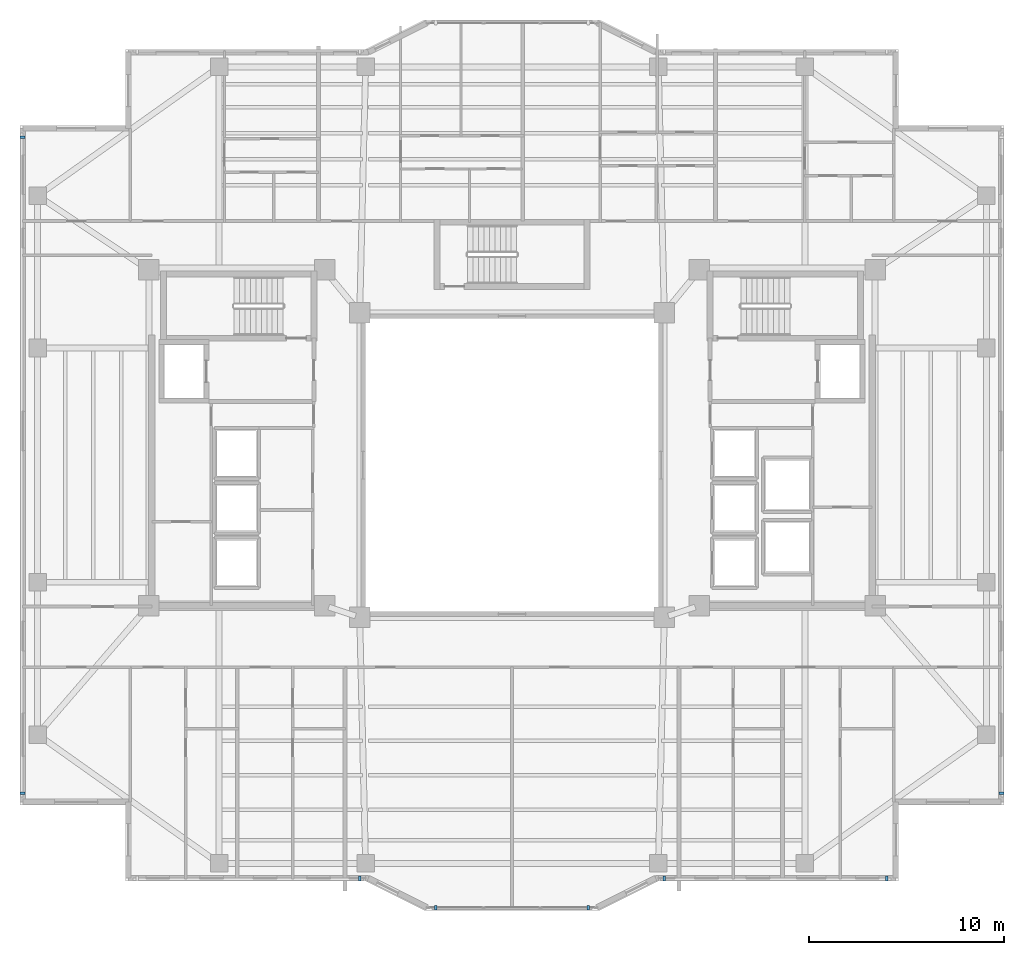
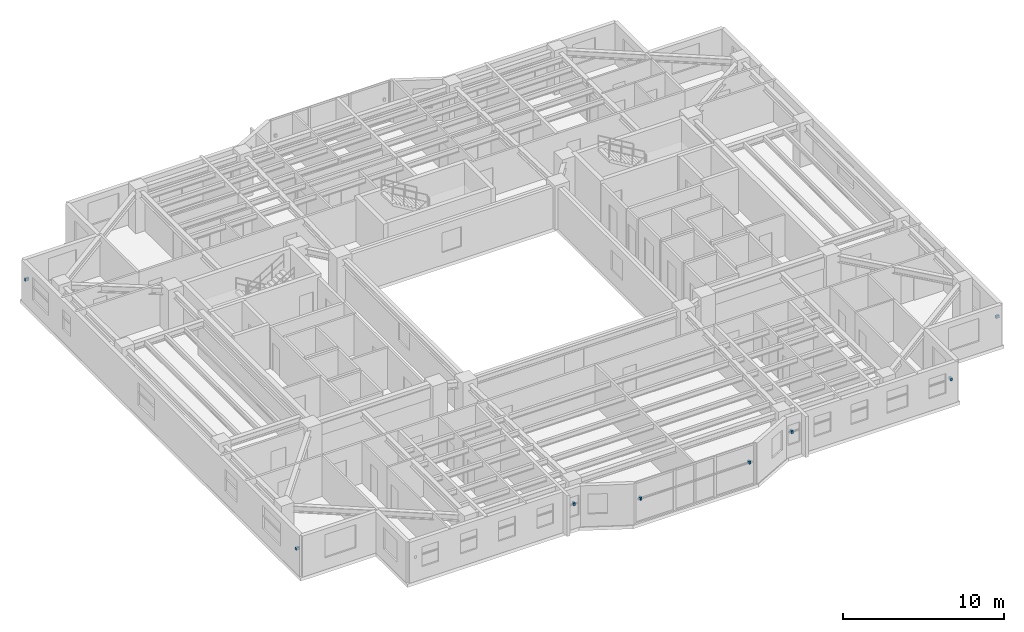
# One storey, part 12 of 16: 8 discrete accessories.
"""IFC4 building model written with IfcOpenShell, lengths in metres."""

import ifcopenshell
import ifcopenshell.guid

model = None  # the IFC model being written
_history = None  # IfcOwnerHistory: only IFC2X3 demands one
_inside = {}  # id of a spatial element -> (the spatial element, [elements in it])
_under = {}  # id of a project, library or spatial element -> (it, [spatial elements below it])
_declared = {}  # id of a project -> (the project, [libraries it declares])
_typed = {}  # id of a type object -> (the type object, [elements of that type])
_made_of = {}  # id of a material, layer set ... -> (it, [elements and type objects made of it])


def new_model(schema):
    """Start an empty IFC model of exactly this schema.

    Asked for "IFC4X3", IfcOpenShell would pick the latest addendum, in which some entities
    have other attributes; the version numbers below select the first issue.
    IFC2X3 requires an IfcOwnerHistory on every rooted entity: one is made here for all.
    """
    global model, _history
    if schema == "IFC4X3":
        model = ifcopenshell.file(schema_version=(4, 3, 0, 0))
    else:
        model = ifcopenshell.file(schema=schema)
    _inside.clear()
    _under.clear()
    _declared.clear()
    _typed.clear()
    _made_of.clear()
    _history = None
    if model.schema == "IFC2X3":
        org = make("IfcOrganization", Name="unknown")
        user = make(
            "IfcPersonAndOrganization",
            ThePerson=make("IfcPerson", FamilyName="unknown"),
            TheOrganization=org,
        )
        app = make(
            "IfcApplication",
            ApplicationDeveloper=org,
            Version="unknown",
            ApplicationFullName="unknown",
            ApplicationIdentifier="unknown",
        )
        _history = make(
            "IfcOwnerHistory",
            OwningUser=user,
            OwningApplication=app,
            ChangeAction="ADDED",
            CreationDate=0,
        )
    return model


def make(cls, **values):
    """One entity of the class cls with the attributes given. An attribute that is None is left unset."""
    return model.create_entity(
        cls, **{name: value for name, value in values.items() if value is not None}
    )


def rooted(cls, **values):
    """An entity with a GlobalId (a new one), such as an element, a storey or a relation."""
    return make(cls, GlobalId=ifcopenshell.guid.new(), OwnerHistory=_history, **values)


def si_unit(unit_type, name, prefix=None):
    """IfcSIUnit, for example si_unit("LENGTHUNIT", "METRE", prefix="MILLI")."""
    return make("IfcSIUnit", UnitType=unit_type, Prefix=prefix, Name=name)


def assignment(units):
    """IfcUnitAssignment: the units of a project."""
    return None if units is None else make("IfcUnitAssignment", Units=units)


def point(xyz):
    """IfcCartesianPoint."""
    return None if xyz is None else make("IfcCartesianPoint", Coordinates=xyz)


def direction(xyz):
    """IfcDirection."""
    return None if xyz is None else make("IfcDirection", DirectionRatios=xyz)


def frame(location, z_axis=None, x_axis=None):
    """IfcAxis2Placement3D, a coordinate frame: its origin and axes. An axis left out is left unset."""
    return make(
        "IfcAxis2Placement3D",
        Location=point(location),
        Axis=direction(z_axis),
        RefDirection=direction(x_axis),
    )


def frame_2d(location, x_axis=None):
    """IfcAxis2Placement2D, a coordinate frame in the plane: its origin and x axis."""
    return make(
        "IfcAxis2Placement2D", Location=point(location), RefDirection=direction(x_axis)
    )


def origin():
    """The frame at (0, 0, 0) with its axes left unset."""
    return frame((0.0, 0.0, 0.0))


def origin_2d():
    """The frame at (0, 0) in the plane with its x axis left unset."""
    return frame_2d((0.0, 0.0))


def place(relative_to, where):
    """IfcLocalPlacement: puts the frame where relative to a parent placement (None: the world)."""
    return make(
        "IfcLocalPlacement", PlacementRelTo=relative_to, RelativePlacement=where
    )


def context(
    kind, dimensions, precision=None, world=None, true_north=None, identifier=None
):
    """IfcGeometricRepresentationContext, for example the 3D "Model" context."""
    return make(
        "IfcGeometricRepresentationContext",
        ContextIdentifier=identifier,
        ContextType=kind,
        CoordinateSpaceDimension=dimensions,
        Precision=precision,
        WorldCoordinateSystem=world,
        TrueNorth=true_north,
    )


def subcontext(parent, identifier, kind, view, scale=None):
    """IfcGeometricRepresentationSubContext, for example "Body" below "Model"."""
    return make(
        "IfcGeometricRepresentationSubContext",
        ContextIdentifier=identifier,
        ContextType=kind,
        ParentContext=parent,
        TargetScale=scale,
        TargetView=view,
    )


def project(units=None, contexts=None):
    """IfcProject with its units and contexts."""
    return rooted(
        "IfcProject",
        Name="project",
        RepresentationContexts=contexts,
        UnitsInContext=assignment(units),
    )


def spatial(cls, under=None, at=None, **own):
    """A site, building, storey or space (cls), placed at a placement, below another one or the project."""
    s = rooted(cls, ObjectPlacement=at, **own)
    if under is not None:
        _under.setdefault(under.id(), (under, []))[1].append(s)
    return s


def profile(cls, at=None, kind="AREA", **sizes):
    """A parametric profile (cls). Its sizes go by their IFC names, for example OverallWidth=200.0."""
    return make(cls, ProfileType=kind, Position=at, **sizes)


def rectangle(**sizes):
    """IfcRectangleProfileDef."""
    return profile("IfcRectangleProfileDef", **sizes)


def extrude(swept, where, along, depth):
    """IfcExtrudedAreaSolid: the profile swept, set in the frame where, extruded along a direction by depth."""
    return make(
        "IfcExtrudedAreaSolid",
        SweptArea=swept,
        Position=where,
        ExtrudedDirection=direction(along),
        Depth=depth,
    )


def shape(context_of_items, identifier, shape_type, items):
    """IfcShapeRepresentation: the items that make up one representation, for example the "Body"."""
    return make(
        "IfcShapeRepresentation",
        ContextOfItems=context_of_items,
        RepresentationIdentifier=identifier,
        RepresentationType=shape_type,
        Items=items,
    )


def material(Name=None, Category=None):
    """IfcMaterial."""
    return make("IfcMaterial", Name=Name, Category=Category)


def made_of(thing, what):
    """Note that an element or type object is made of a material, layer set ...; save() writes the relation."""
    if what is not None:
        _made_of.setdefault(what.id(), (what, []))[1].append(thing)
    return thing


def type_object(cls, material=None, **own):
    """A type object (cls), such as IfcWallType, which elements share."""
    return made_of(rooted(cls, **own), material)


def element(
    cls,
    number,
    at=None,
    inside=None,
    cuts=None,
    type_object=None,
    material=None,
    context=None,
    identifier="Body",
    shape_type=None,
    held_by="IfcProductDefinitionShape",
    body=None,
    shapes=None,
    **own,
):
    """One element of the class cls, such as IfcWall. Its Tag is "e" and its number.

    at: its placement. inside: the storey or other place that contains it. cuts: it is an
    opening in that element (IfcRelVoidsElement). A single representation is given by context,
    identifier, shape_type and body (its items); several are given by shapes. held_by: the class
    of the entity that holds the representations. save() writes the other relations.
    """
    e = rooted(cls, Tag="e%d" % number, ObjectPlacement=at, **own)
    if body is not None:
        shapes = [shape(context, identifier, shape_type, body)]
    if shapes is not None:
        e.Representation = make(held_by, Representations=shapes)
    if inside is not None:
        _inside.setdefault(inside.id(), (inside, []))[1].append(e)
    if cuts is not None:
        rooted(
            "IfcRelVoidsElement", RelatingBuildingElement=cuts, RelatedOpeningElement=e
        )
    if type_object is not None:
        _typed.setdefault(type_object.id(), (type_object, []))[1].append(e)
    return made_of(e, material)


def aggregate(whole, parts):
    """IfcRelAggregates: a whole, such as a stair, and the parts it consists of."""
    return rooted("IfcRelAggregates", RelatingObject=whole, RelatedObjects=parts)


def save(model, path):
    """Write the relations noted so far, then the file.

    IfcRelAggregates (storeys below a building ...), IfcRelContainedInSpatialStructure (elements
    in a storey), IfcRelDefinesByType, IfcRelAssociatesMaterial and IfcRelDeclares: one each for
    every whole, place, type object, material and project.
    """
    for whole, parts in _under.values():
        aggregate(whole, parts)
    for where, things in _inside.values():
        rooted(
            "IfcRelContainedInSpatialStructure",
            RelatedElements=things,
            RelatingStructure=where,
        )
    for kind, things in _typed.values():
        rooted("IfcRelDefinesByType", RelatedObjects=things, RelatingType=kind)
    for what, things in _made_of.values():
        rooted("IfcRelAssociatesMaterial", RelatedObjects=things, RelatingMaterial=what)
    for by, libraries in _declared.values():
        rooted("IfcRelDeclares", RelatingContext=by, RelatedDefinitions=libraries)
    model.write(path)


model = new_model("IFC4")

# Units and contexts
model_context = context("Model", 3, precision=1e-05, world=origin(), true_north=direction((0.0, 1.0)))
body_context = subcontext(model_context, "Body", "Model", "MODEL_VIEW")
ifc_project = project(units=[si_unit("LENGTHUNIT", "METRE"), si_unit("AREAUNIT", "SQUARE_METRE"), si_unit("VOLUMEUNIT", "CUBIC_METRE"), si_unit("PLANEANGLEUNIT", "RADIAN"), si_unit("MASSUNIT", "GRAM", prefix="KILO")], contexts=[model_context])

# Site, building, storey
site_placement = place(None, origin())
site = spatial("IfcSite", under=ifc_project, at=site_placement, CompositionType="ELEMENT")
building_placement = place(site_placement, origin())
building = spatial("IfcBuilding", under=site, at=building_placement, Name="Tarnavaz Court Tower", CompositionType="ELEMENT")
storey_placement = place(building_placement, frame((0.0, 0.0, 152.699951171875)))
storey = spatial("IfcBuildingStorey", under=building, at=storey_placement, Name="L41", CompositionType="ELEMENT", Elevation=152.699951171875)

# Discrete accessories
ifc_material = material(Name="Anodised Aluminium 6063-T6", Category="aluminium")
discrete_accessory_type = type_object("IfcDiscreteAccessoryType", Name="DA-BRKT-ALU", PredefinedType="BRACKET", material=ifc_material)
for number, where, z_axis, x_axis, name in (
    (1, (-25.070068359375, -16.800048828125, 1.75), (0.0, 0.0, 1.0), (0.0, 1.0, 0.0), "L41 Baguette Outrigger Bracket FBG02-1"),
    (2, (-25.070068359375, 16.800048828125, 1.75), (0.0, 0.0, 1.0), (0.0, 1.0, 0.0), "L41 Baguette Outrigger Bracket FBG02-2"),
    (3, (25.070068359375, -16.800048828125, 1.75), (0.0, 0.0, 1.0), (0.0, -1.0, 0.0), "L41 Baguette Outrigger Bracket FBG12-2"),
    (4, (19.199951171875, -21.169921875, 1.75), (0.0, 0.0, 1.0), (-1.0, 0.0, 0.0), "L41 Baguette Outrigger Bracket FBG15-1"),
    (5, (7.800048828125, -21.169921875, 1.75), (0.0, 0.0, 1.0), (-1.0, 0.0, 0.0), "L41 Baguette Outrigger Bracket FBG15-2"),
    (6, (3.89990234375, -22.669921875, 1.7001953125), (0.0, 0.0, 1.0), (-1.0, 0.0, 0.0), "L41 Baguette Outrigger Bracket PBG17-1"),
    (7, (-3.89990234375, -22.669921875, 1.7001953125), (0.0, 0.0, 1.0), (-1.0, 0.0, 0.0), "L41 Baguette Outrigger Bracket PBG17-2"),
    (8, (-7.800048828125, -21.169921875, 1.75), (0.0, 0.0, 1.0), (-1.0, 0.0, 0.0), "L41 Baguette Outrigger Bracket FBG19-1"),
):
    element("IfcDiscreteAccessory", number, at=place(storey_placement, frame(where, z_axis=z_axis, x_axis=x_axis)), inside=storey, type_object=discrete_accessory_type, Name=name, PredefinedType="BRACKET", context=body_context, shape_type="SweptSolid", body=[
        extrude(rectangle(XDim=0.139892578125, YDim=0.239990234375, at=origin_2d()), origin(), (0.0, 0.0, 1.0), 0.199951171875),
    ])

save(model, "model.ifc")
